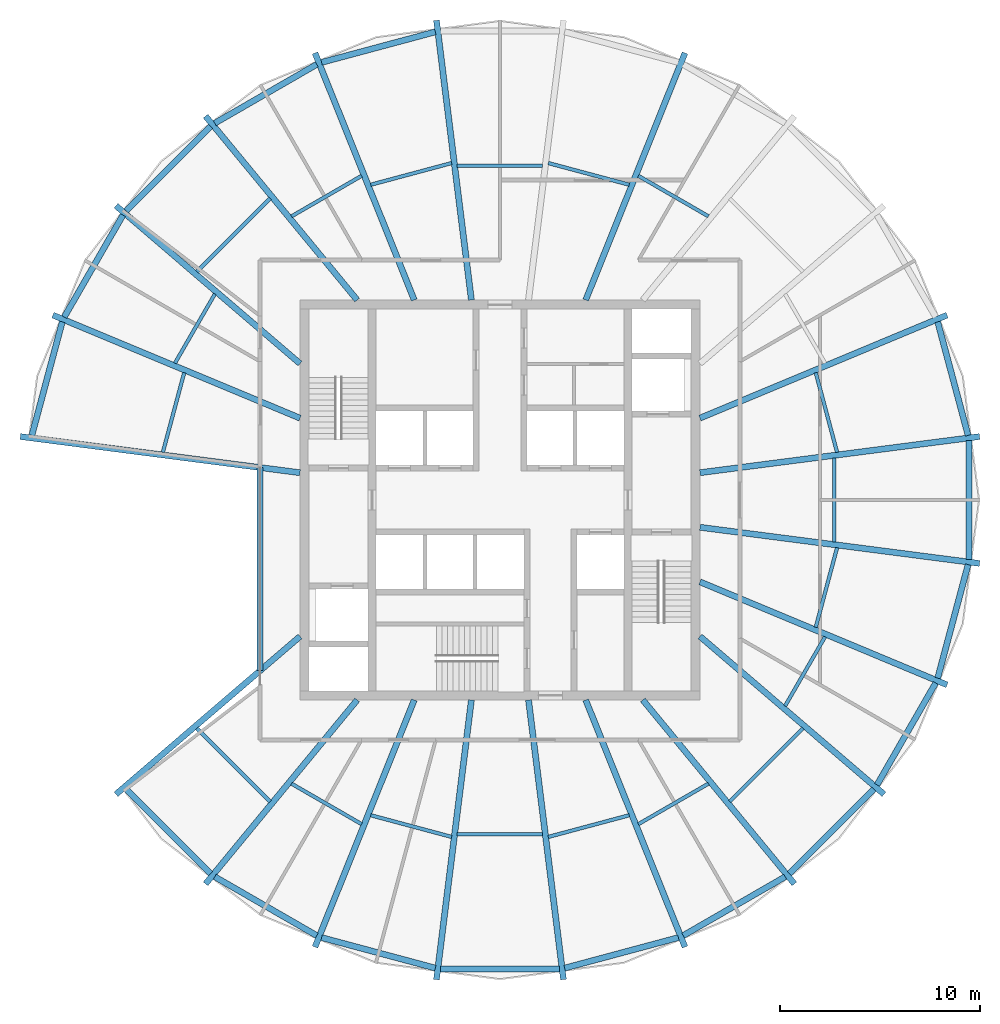
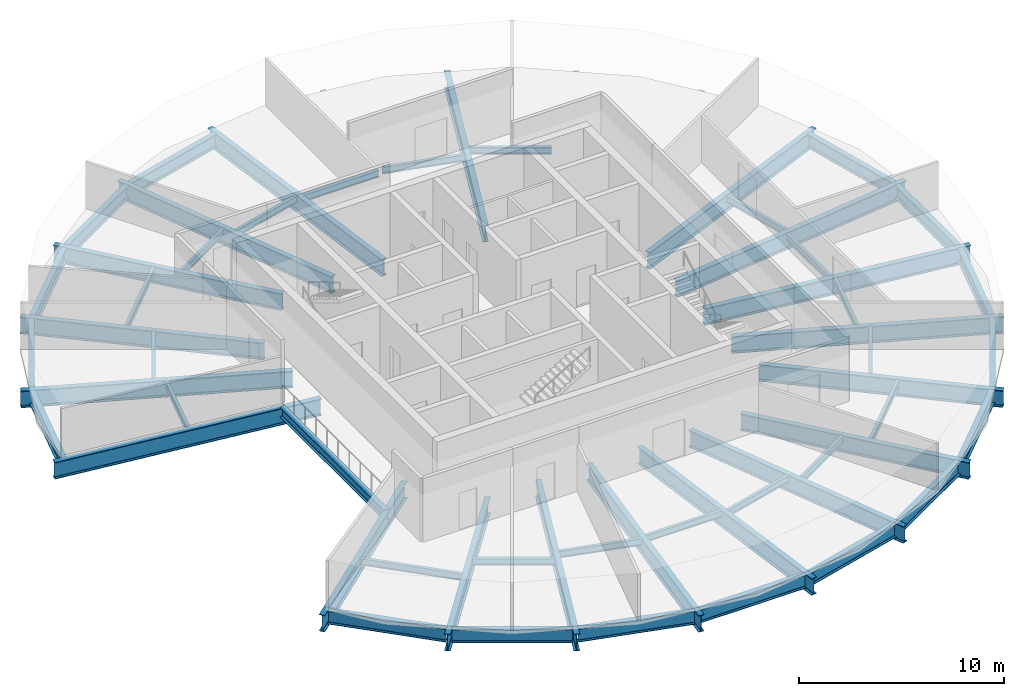
# One storey, part 1 of 5: 55 beams.
"""IFC4 building model written with IfcOpenShell, lengths in metres."""

from ifc_helpers import new_model, si_unit, direction, frame, origin, origin_2d, place, context, subcontext, project, spatial, i_section, extrude, material, material_profile, profile_set, type_object, element, save


model = new_model("IFC4")

# Units and contexts
model_context = context("Model", 3, precision=1e-05, world=origin(), true_north=direction((0.0, 1.0)))
body_context = subcontext(model_context, "Body", "Model", "MODEL_VIEW")
ifc_project = project(units=[si_unit("LENGTHUNIT", "METRE"), si_unit("AREAUNIT", "SQUARE_METRE"), si_unit("VOLUMEUNIT", "CUBIC_METRE"), si_unit("PLANEANGLEUNIT", "RADIAN"), si_unit("MASSUNIT", "GRAM", prefix="KILO")], contexts=[model_context])

# Site, building, storey
site_placement = place(None, origin())
site = spatial("IfcSite", under=ifc_project, at=site_placement, CompositionType="ELEMENT")
building_placement = place(site_placement, origin())
building = spatial("IfcBuilding", under=site, at=building_placement, Name="Golbaran Civic Tower", CompositionType="ELEMENT")
storey_placement = place(building_placement, frame((0.0, 0.0, 175.0)))
storey = spatial("IfcBuildingStorey", under=building, at=storey_placement, Name="L42", CompositionType="ELEMENT", Elevation=175.0)

# Beams
ifc_material = material(Name="Steel S355", Category="steel")
ifc_material_profile_1 = material_profile(ifc_material, i_section(OverallWidth=0.300048828125, OverallDepth=0.800048828125, WebThickness=0.017578125, FlangeThickness=0.032958984375, FilletRadius=0.030029296875, at=origin_2d()), Name="HEB 800")
ifc_profile_set_1 = profile_set([ifc_material_profile_1], Name="Steel S355")
beam_type_1 = type_object("IfcBeamType", Name="EDGE BEAM HEB 800", PredefinedType="BEAM", material=ifc_profile_set_1)
beam_1_placement = place(storey_placement, frame((23.408447265625, 3.229736328125, -0.60009765625), z_axis=(-0.258812903763, 0.965927471835, 0.0), x_axis=(-0.965927471835, -0.258812903763, 0.0)))
element("IfcBeam", 1, at=beam_1_placement, inside=storey, type_object=beam_type_1, Name="Edge beam 7.53 L42", PredefinedType="BEAM", context=body_context, shape_type="SweptSolid", body=[
    extrude(i_section(OverallWidth=0.300048828125, OverallDepth=0.800048828125, WebThickness=0.017578125, FlangeThickness=0.032958984375, FilletRadius=0.030029296875, at=origin_2d()), origin(), (0.0, 0.0, 1.0), 5.877685546875),
])
beam_2_placement = place(storey_placement, frame((-3.234375, 23.407958984375, -0.60009765625), z_axis=(-0.96581726524, -0.2592238611, 0.0), x_axis=(0.2592238611, -0.96581726524, 0.0)))
element("IfcBeam", 2, at=beam_2_placement, inside=storey, type_object=beam_type_1, Name="Edge beam 97.53 L42", PredefinedType="BEAM", context=body_context, shape_type="SweptSolid", body=[
    extrude(i_section(OverallWidth=0.300048828125, OverallDepth=0.800048828125, WebThickness=0.017578125, FlangeThickness=0.032958984375, FilletRadius=0.030029296875, at=origin_2d()), origin(), (0.0, 0.0, 1.0), 5.88720703125),
])
beam_3_placement = place(storey_placement, frame((-9.16064453125, 21.7822265625, -0.60009765625), z_axis=(-0.866307731562, -0.499510674796, 0.0), x_axis=(0.499510674796, -0.866307731562, 0.0)))
element("IfcBeam", 3, at=beam_3_placement, inside=storey, type_object=beam_type_1, Name="Edge beam 112.47 L42", PredefinedType="BEAM", context=body_context, shape_type="SweptSolid", body=[
    extrude(i_section(OverallWidth=0.300048828125, OverallDepth=0.800048828125, WebThickness=0.017578125, FlangeThickness=0.032958984375, FilletRadius=0.030029296875, at=origin_2d()), origin(), (0.0, 0.0, 1.0), 5.888671875),
])
beam_4_placement = place(storey_placement, frame((-14.468505859375, 18.6826171875, -0.60009765625), z_axis=(-0.70680058161, -0.707412848226, 0.0), x_axis=(0.707412848226, -0.70680058161, 0.0)))
element("IfcBeam", 4, at=beam_4_placement, inside=storey, type_object=beam_type_1, Name="Edge beam 127.53 L42", PredefinedType="BEAM", context=body_context, shape_type="SweptSolid", body=[
    extrude(i_section(OverallWidth=0.300048828125, OverallDepth=0.800048828125, WebThickness=0.017578125, FlangeThickness=0.032958984375, FilletRadius=0.030029296875, at=origin_2d()), origin(), (0.0, 0.0, 1.0), 5.981201171875),
])
beam_5_placement = place(storey_placement, frame((-18.85400390625, 14.24462890625, -0.60009765625), z_axis=(-0.498868073136, -0.866677936494, 0.0), x_axis=(0.866677936494, -0.498868073136, 0.0)))
element("IfcBeam", 5, at=beam_5_placement, inside=storey, type_object=beam_type_1, Name="Edge beam 142.47 L42", PredefinedType="BEAM", context=body_context, shape_type="SweptSolid", body=[
    extrude(i_section(OverallWidth=0.300048828125, OverallDepth=0.800048828125, WebThickness=0.017578125, FlangeThickness=0.032958984375, FilletRadius=0.030029296875, at=origin_2d()), origin(), (0.0, 0.0, 1.0), 5.881103515625),
])
beam_6_placement = place(storey_placement, frame((-21.88720703125, 8.9072265625, -0.60009765625), z_axis=(-0.258812903763, -0.965927471835, 0.0), x_axis=(0.965927471835, -0.258812903763, 0.0)))
element("IfcBeam", 6, at=beam_6_placement, inside=storey, type_object=beam_type_1, Name="Edge beam 157.53 L42", PredefinedType="BEAM", context=body_context, shape_type="SweptSolid", body=[
    extrude(i_section(OverallWidth=0.300048828125, OverallDepth=0.800048828125, WebThickness=0.017578125, FlangeThickness=0.032958984375, FilletRadius=0.030029296875, at=origin_2d()), origin(), (0.0, 0.0, 1.0), 5.877685546875),
])
beam_7_placement = place(storey_placement, frame((-18.696044921875, -14.451416015625, -0.60009765625), z_axis=(0.70680058161, -0.707412848226, 0.0), x_axis=(0.707412848226, 0.70680058161, 0.0)))
element("IfcBeam", 7, at=beam_7_placement, inside=storey, type_object=beam_type_1, Name="Edge beam 217.53 L42", PredefinedType="BEAM", context=body_context, shape_type="SweptSolid", body=[
    extrude(i_section(OverallWidth=0.300048828125, OverallDepth=0.800048828125, WebThickness=0.017578125, FlangeThickness=0.032958984375, FilletRadius=0.030029296875, at=origin_2d()), origin(), (0.0, 0.0, 1.0), 5.981201171875),
])
beam_8_placement = place(storey_placement, frame((-14.261962890625, -18.8408203125, -0.60009765625), z_axis=(0.866307731562, -0.499510674796, 0.0), x_axis=(0.499510674796, 0.866307731562, 0.0)))
element("IfcBeam", 8, at=beam_8_placement, inside=storey, type_object=beam_type_1, Name="Edge beam 232.47 L42", PredefinedType="BEAM", context=body_context, shape_type="SweptSolid", body=[
    extrude(i_section(OverallWidth=0.300048828125, OverallDepth=0.800048828125, WebThickness=0.017578125, FlangeThickness=0.032958984375, FilletRadius=0.030029296875, at=origin_2d()), origin(), (0.0, 0.0, 1.0), 5.888671875),
])
beam_9_placement = place(storey_placement, frame((-8.92041015625, -21.8818359375, -0.60009765625), z_axis=(0.96581726524, -0.2592238611, 0.0), x_axis=(0.2592238611, 0.96581726524, 0.0)))
element("IfcBeam", 9, at=beam_9_placement, inside=storey, type_object=beam_type_1, Name="Edge beam 247.53 L42", PredefinedType="BEAM", context=body_context, shape_type="SweptSolid", body=[
    extrude(i_section(OverallWidth=0.300048828125, OverallDepth=0.800048828125, WebThickness=0.017578125, FlangeThickness=0.032958984375, FilletRadius=0.030029296875, at=origin_2d()), origin(), (0.0, 0.0, 1.0), 5.88720703125),
])
beam_10_placement = place(storey_placement, frame((-2.976806640625, -23.44189453125, -0.60009765625), z_axis=(1.0, 0.0, 0.0), x_axis=(0.0, 1.0, 0.0)))
element("IfcBeam", 10, at=beam_10_placement, inside=storey, type_object=beam_type_1, Name="Edge beam 262.47 L42", PredefinedType="BEAM", context=body_context, shape_type="SweptSolid", body=[
    extrude(i_section(OverallWidth=0.300048828125, OverallDepth=0.800048828125, WebThickness=0.017578125, FlangeThickness=0.032958984375, FilletRadius=0.030029296875, at=origin_2d()), origin(), (0.0, 0.0, 1.0), 5.95361328125),
])
beam_11_placement = place(storey_placement, frame((3.234375, -23.407958984375, -0.60009765625), z_axis=(0.96581726524, 0.2592238611, 0.0), x_axis=(-0.2592238611, 0.96581726524, 0.0)))
element("IfcBeam", 11, at=beam_11_placement, inside=storey, type_object=beam_type_1, Name="Edge beam 277.53 L42", PredefinedType="BEAM", context=body_context, shape_type="SweptSolid", body=[
    extrude(i_section(OverallWidth=0.300048828125, OverallDepth=0.800048828125, WebThickness=0.017578125, FlangeThickness=0.032958984375, FilletRadius=0.030029296875, at=origin_2d()), origin(), (0.0, 0.0, 1.0), 5.88720703125),
])
beam_12_placement = place(storey_placement, frame((9.16064453125, -21.7822265625, -0.60009765625), z_axis=(0.866307731562, 0.499510674796, 0.0), x_axis=(-0.499510674796, 0.866307731562, 0.0)))
element("IfcBeam", 12, at=beam_12_placement, inside=storey, type_object=beam_type_1, Name="Edge beam 292.47 L42", PredefinedType="BEAM", context=body_context, shape_type="SweptSolid", body=[
    extrude(i_section(OverallWidth=0.300048828125, OverallDepth=0.800048828125, WebThickness=0.017578125, FlangeThickness=0.032958984375, FilletRadius=0.030029296875, at=origin_2d()), origin(), (0.0, 0.0, 1.0), 5.888671875),
])
beam_13_placement = place(storey_placement, frame((14.468505859375, -18.6826171875, -0.60009765625), z_axis=(0.70680058161, 0.707412848226, 0.0), x_axis=(-0.707412848226, 0.70680058161, 0.0)))
element("IfcBeam", 13, at=beam_13_placement, inside=storey, type_object=beam_type_1, Name="Edge beam 307.53 L42", PredefinedType="BEAM", context=body_context, shape_type="SweptSolid", body=[
    extrude(i_section(OverallWidth=0.300048828125, OverallDepth=0.800048828125, WebThickness=0.017578125, FlangeThickness=0.032958984375, FilletRadius=0.030029296875, at=origin_2d()), origin(), (0.0, 0.0, 1.0), 5.981201171875),
])
beam_14_placement = place(storey_placement, frame((18.85400390625, -14.24462890625, -0.60009765625), z_axis=(0.498868073136, 0.866677936494, 0.0), x_axis=(-0.866677936494, 0.498868073136, 0.0)))
element("IfcBeam", 14, at=beam_14_placement, inside=storey, type_object=beam_type_1, Name="Edge beam 322.47 L42", PredefinedType="BEAM", context=body_context, shape_type="SweptSolid", body=[
    extrude(i_section(OverallWidth=0.300048828125, OverallDepth=0.800048828125, WebThickness=0.017578125, FlangeThickness=0.032958984375, FilletRadius=0.030029296875, at=origin_2d()), origin(), (0.0, 0.0, 1.0), 5.881103515625),
])
beam_15_placement = place(storey_placement, frame((21.88720703125, -8.9072265625, -0.60009765625), z_axis=(0.258812903763, 0.965927471835, 0.0), x_axis=(-0.965927471835, 0.258812903763, 0.0)))
element("IfcBeam", 15, at=beam_15_placement, inside=storey, type_object=beam_type_1, Name="Edge beam 337.53 L42", PredefinedType="BEAM", context=body_context, shape_type="SweptSolid", body=[
    extrude(i_section(OverallWidth=0.300048828125, OverallDepth=0.800048828125, WebThickness=0.017578125, FlangeThickness=0.032958984375, FilletRadius=0.030029296875, at=origin_2d()), origin(), (0.0, 0.0, 1.0), 5.877685546875),
])
beam_16_placement = place(storey_placement, frame((23.4423828125, -2.971923828125, -0.60009765625), z_axis=(0.0, 1.0, 0.0), x_axis=(-1.0, 0.0, 0.0)))
element("IfcBeam", 16, at=beam_16_placement, inside=storey, type_object=beam_type_1, Name="Edge beam 352.47 L42", PredefinedType="BEAM", context=body_context, shape_type="SweptSolid", body=[
    extrude(i_section(OverallWidth=0.300048828125, OverallDepth=0.800048828125, WebThickness=0.017578125, FlangeThickness=0.032958984375, FilletRadius=0.030029296875, at=origin_2d()), origin(), (0.0, 0.0, 1.0), 5.94384765625),
])
ifc_material_profile_2 = material_profile(ifc_material, i_section(OverallWidth=0.179931640625, OverallDepth=0.39990234375, WebThickness=0.008544921875, FlangeThickness=0.013427734375, FilletRadius=0.02099609375, at=origin_2d()), Name="IPE 400")
ifc_profile_set_2 = profile_set([ifc_material_profile_2], Name="Steel S355")
beam_type_2 = type_object("IfcBeamType", Name="FLOOR INFILL BEAM IPE 400", PredefinedType="BEAM", material=ifc_profile_set_2)
beam_17_placement = place(storey_placement, frame((16.857666015625, 2.38232421875, -0.39990234375), z_axis=(-0.258826831962, 0.965923739773, 0.0), x_axis=(-0.965923739773, -0.258826831962, 0.0)))
element("IfcBeam", 17, at=beam_17_placement, inside=storey, type_object=beam_type_2, Name="Infill beam 15.00 L42", PredefinedType="BEAM", context=body_context, shape_type="SweptSolid", body=[
    extrude(i_section(OverallWidth=0.179931640625, OverallDepth=0.39990234375, WebThickness=0.008544921875, FlangeThickness=0.013427734375, FilletRadius=0.02099609375, at=origin_2d()), origin(), (0.0, 0.0, 1.0), 4.1240234375),
])
beam_18_placement = place(storey_placement, frame((10.424072265625, 14.184814453125, -0.39990234375), z_axis=(-0.86601374197, 0.500020198311, 0.0), x_axis=(-0.500020198311, -0.86601374197, 0.0)))
element("IfcBeam", 18, at=beam_18_placement, inside=storey, type_object=beam_type_2, Name="Infill beam 60.00 L42", PredefinedType="BEAM", context=body_context, shape_type="SweptSolid", body=[
    extrude(i_section(OverallWidth=0.179931640625, OverallDepth=0.39990234375, WebThickness=0.008544921875, FlangeThickness=0.013427734375, FilletRadius=0.02099609375, at=origin_2d()), origin(), (0.0, 0.0, 1.0), 4.045654296875),
])
beam_19_placement = place(storey_placement, frame((6.4619140625, 15.76416015625, -0.39990234375), z_axis=(-0.965918917983, 0.258844825874, 0.0), x_axis=(-0.258844825874, -0.965918917983, 0.0)))
element("IfcBeam", 19, at=beam_19_placement, inside=storey, type_object=beam_type_2, Name="Infill beam 75.00 L42", PredefinedType="BEAM", context=body_context, shape_type="SweptSolid", body=[
    extrude(i_section(OverallWidth=0.179931640625, OverallDepth=0.39990234375, WebThickness=0.008544921875, FlangeThickness=0.013427734375, FilletRadius=0.02099609375, at=origin_2d()), origin(), (0.0, 0.0, 1.0), 4.189697265625),
])
beam_20_placement = place(storey_placement, frame((2.13720703125, 16.720947265625, -0.39990234375), z_axis=(-1.0, 0.0, 0.0), x_axis=(0.0, -1.0, 0.0)))
element("IfcBeam", 20, at=beam_20_placement, inside=storey, type_object=beam_type_2, Name="Infill beam 90.00 L42", PredefinedType="BEAM", context=body_context, shape_type="SweptSolid", body=[
    extrude(i_section(OverallWidth=0.179931640625, OverallDepth=0.39990234375, WebThickness=0.008544921875, FlangeThickness=0.013427734375, FilletRadius=0.02099609375, at=origin_2d()), origin(), (0.0, 0.0, 1.0), 4.2744140625),
])
beam_21_placement = place(storey_placement, frame((-2.4150390625, 16.8486328125, -0.39990234375), z_axis=(-0.965918917983, -0.258844825874, 0.0), x_axis=(0.258844825874, -0.965918917983, 0.0)))
element("IfcBeam", 21, at=beam_21_placement, inside=storey, type_object=beam_type_2, Name="Infill beam 105.00 L42", PredefinedType="BEAM", context=body_context, shape_type="SweptSolid", body=[
    extrude(i_section(OverallWidth=0.179931640625, OverallDepth=0.39990234375, WebThickness=0.008544921875, FlangeThickness=0.013427734375, FilletRadius=0.02099609375, at=origin_2d()), origin(), (0.0, 0.0, 1.0), 4.189697265625),
])
beam_22_placement = place(storey_placement, frame((-6.92041015625, 16.207763671875, -0.39990234375), z_axis=(-0.86601374197, -0.500020198311, 0.0), x_axis=(0.500020198311, -0.86601374197, 0.0)))
element("IfcBeam", 22, at=beam_22_placement, inside=storey, type_object=beam_type_2, Name="Infill beam 120.00 L42", PredefinedType="BEAM", context=body_context, shape_type="SweptSolid", body=[
    extrude(i_section(OverallWidth=0.179931640625, OverallDepth=0.39990234375, WebThickness=0.008544921875, FlangeThickness=0.013427734375, FilletRadius=0.02099609375, at=origin_2d()), origin(), (0.0, 0.0, 1.0), 4.045654296875),
])
beam_23_placement = place(storey_placement, frame((-11.496826171875, 15.07763671875, -0.39990234375), z_axis=(-0.707130358093, -0.707083203494, 0.0), x_axis=(0.707083203494, -0.707130358093, 0.0)))
element("IfcBeam", 23, at=beam_23_placement, inside=storey, type_object=beam_type_2, Name="Infill beam 135.00 L42", PredefinedType="BEAM", context=body_context, shape_type="SweptSolid", body=[
    extrude(i_section(OverallWidth=0.179931640625, OverallDepth=0.39990234375, WebThickness=0.008544921875, FlangeThickness=0.013427734375, FilletRadius=0.02099609375, at=origin_2d()), origin(), (0.0, 0.0, 1.0), 5.177490234375),
])
beam_24_placement = place(storey_placement, frame((-14.25634765625, 10.30078125, -0.39990234375), z_axis=(-0.500036296268, -0.86600444711, 0.0), x_axis=(0.86600444711, -0.500036296268, 0.0)))
element("IfcBeam", 24, at=beam_24_placement, inside=storey, type_object=beam_type_2, Name="Infill beam 150.00 L42", PredefinedType="BEAM", context=body_context, shape_type="SweptSolid", body=[
    extrude(i_section(OverallWidth=0.179931640625, OverallDepth=0.39990234375, WebThickness=0.008544921875, FlangeThickness=0.013427734375, FilletRadius=0.02099609375, at=origin_2d()), origin(), (0.0, 0.0, 1.0), 3.995361328125),
])
beam_25_placement = place(storey_placement, frame((-15.790283203125, 6.36572265625, -0.39990234375), z_axis=(-0.258826831962, -0.965923739773, 0.0), x_axis=(0.965923739773, -0.258826831962, 0.0)))
element("IfcBeam", 25, at=beam_25_placement, inside=storey, type_object=beam_type_2, Name="Infill beam 165.00 L42", PredefinedType="BEAM", context=body_context, shape_type="SweptSolid", body=[
    extrude(i_section(OverallWidth=0.179931640625, OverallDepth=0.39990234375, WebThickness=0.008544921875, FlangeThickness=0.013427734375, FilletRadius=0.02099609375, at=origin_2d()), origin(), (0.0, 0.0, 1.0), 4.1240234375),
])
beam_26_placement = place(storey_placement, frame((-15.157958984375, -11.416748046875, -0.39990234375), z_axis=(0.707130358093, -0.707083203494, 0.0), x_axis=(0.707083203494, 0.707130358093, 0.0)))
element("IfcBeam", 26, at=beam_26_placement, inside=storey, type_object=beam_type_2, Name="Infill beam 225.00 L42", PredefinedType="BEAM", context=body_context, shape_type="SweptSolid", body=[
    extrude(i_section(OverallWidth=0.179931640625, OverallDepth=0.39990234375, WebThickness=0.008544921875, FlangeThickness=0.013427734375, FilletRadius=0.02099609375, at=origin_2d()), origin(), (0.0, 0.0, 1.0), 5.177490234375),
])
beam_27_placement = place(storey_placement, frame((-10.424072265625, -14.184814453125, -0.39990234375), z_axis=(0.86601374197, -0.500020198311, 0.0), x_axis=(0.500020198311, 0.86601374197, 0.0)))
element("IfcBeam", 27, at=beam_27_placement, inside=storey, type_object=beam_type_2, Name="Infill beam 240.00 L42", PredefinedType="BEAM", context=body_context, shape_type="SweptSolid", body=[
    extrude(i_section(OverallWidth=0.179931640625, OverallDepth=0.39990234375, WebThickness=0.008544921875, FlangeThickness=0.013427734375, FilletRadius=0.02099609375, at=origin_2d()), origin(), (0.0, 0.0, 1.0), 4.045654296875),
])
beam_28_placement = place(storey_placement, frame((-6.4619140625, -15.76416015625, -0.39990234375), z_axis=(0.965918917983, -0.258844825874, 0.0), x_axis=(0.258844825874, 0.965918917983, 0.0)))
element("IfcBeam", 28, at=beam_28_placement, inside=storey, type_object=beam_type_2, Name="Infill beam 255.00 L42", PredefinedType="BEAM", context=body_context, shape_type="SweptSolid", body=[
    extrude(i_section(OverallWidth=0.179931640625, OverallDepth=0.39990234375, WebThickness=0.008544921875, FlangeThickness=0.013427734375, FilletRadius=0.02099609375, at=origin_2d()), origin(), (0.0, 0.0, 1.0), 4.189697265625),
])
beam_29_placement = place(storey_placement, frame((-2.13720703125, -16.720947265625, -0.39990234375), z_axis=(1.0, 0.0, 0.0), x_axis=(0.0, 1.0, 0.0)))
element("IfcBeam", 29, at=beam_29_placement, inside=storey, type_object=beam_type_2, Name="Infill beam 270.00 L42", PredefinedType="BEAM", context=body_context, shape_type="SweptSolid", body=[
    extrude(i_section(OverallWidth=0.179931640625, OverallDepth=0.39990234375, WebThickness=0.008544921875, FlangeThickness=0.013427734375, FilletRadius=0.02099609375, at=origin_2d()), origin(), (0.0, 0.0, 1.0), 4.2744140625),
])
beam_30_placement = place(storey_placement, frame((2.4150390625, -16.8486328125, -0.39990234375), z_axis=(0.965918917983, 0.258844825874, 0.0), x_axis=(-0.258844825874, 0.965918917983, 0.0)))
element("IfcBeam", 30, at=beam_30_placement, inside=storey, type_object=beam_type_2, Name="Infill beam 285.00 L42", PredefinedType="BEAM", context=body_context, shape_type="SweptSolid", body=[
    extrude(i_section(OverallWidth=0.179931640625, OverallDepth=0.39990234375, WebThickness=0.008544921875, FlangeThickness=0.013427734375, FilletRadius=0.02099609375, at=origin_2d()), origin(), (0.0, 0.0, 1.0), 4.189697265625),
])
beam_31_placement = place(storey_placement, frame((6.92041015625, -16.207763671875, -0.39990234375), z_axis=(0.86601374197, 0.500020198311, 0.0), x_axis=(-0.500020198311, 0.86601374197, 0.0)))
element("IfcBeam", 31, at=beam_31_placement, inside=storey, type_object=beam_type_2, Name="Infill beam 300.00 L42", PredefinedType="BEAM", context=body_context, shape_type="SweptSolid", body=[
    extrude(i_section(OverallWidth=0.179931640625, OverallDepth=0.39990234375, WebThickness=0.008544921875, FlangeThickness=0.013427734375, FilletRadius=0.02099609375, at=origin_2d()), origin(), (0.0, 0.0, 1.0), 4.045654296875),
])
beam_32_placement = place(storey_placement, frame((11.496826171875, -15.07763671875, -0.39990234375), z_axis=(0.707130358093, 0.707083203494, 0.0), x_axis=(-0.707083203494, 0.707130358093, 0.0)))
element("IfcBeam", 32, at=beam_32_placement, inside=storey, type_object=beam_type_2, Name="Infill beam 315.00 L42", PredefinedType="BEAM", context=body_context, shape_type="SweptSolid", body=[
    extrude(i_section(OverallWidth=0.179931640625, OverallDepth=0.39990234375, WebThickness=0.008544921875, FlangeThickness=0.013427734375, FilletRadius=0.02099609375, at=origin_2d()), origin(), (0.0, 0.0, 1.0), 5.177490234375),
])
beam_33_placement = place(storey_placement, frame((14.25634765625, -10.30078125, -0.39990234375), z_axis=(0.500036296268, 0.86600444711, 0.0), x_axis=(-0.86600444711, 0.500036296268, 0.0)))
element("IfcBeam", 33, at=beam_33_placement, inside=storey, type_object=beam_type_2, Name="Infill beam 330.00 L42", PredefinedType="BEAM", context=body_context, shape_type="SweptSolid", body=[
    extrude(i_section(OverallWidth=0.179931640625, OverallDepth=0.39990234375, WebThickness=0.008544921875, FlangeThickness=0.013427734375, FilletRadius=0.02099609375, at=origin_2d()), origin(), (0.0, 0.0, 1.0), 3.995361328125),
])
beam_34_placement = place(storey_placement, frame((15.790283203125, -6.36572265625, -0.39990234375), z_axis=(0.258826831962, 0.965923739773, 0.0), x_axis=(-0.965923739773, 0.258826831962, 0.0)))
element("IfcBeam", 34, at=beam_34_placement, inside=storey, type_object=beam_type_2, Name="Infill beam 345.00 L42", PredefinedType="BEAM", context=body_context, shape_type="SweptSolid", body=[
    extrude(i_section(OverallWidth=0.179931640625, OverallDepth=0.39990234375, WebThickness=0.008544921875, FlangeThickness=0.013427734375, FilletRadius=0.02099609375, at=origin_2d()), origin(), (0.0, 0.0, 1.0), 4.1240234375),
])
beam_35_placement = place(storey_placement, frame((16.72119140625, -2.1025390625, -0.39990234375), z_axis=(0.0, 1.0, 0.0), x_axis=(-1.0, 0.0, 0.0)))
element("IfcBeam", 35, at=beam_35_placement, inside=storey, type_object=beam_type_2, Name="Infill beam 0.00 L42", PredefinedType="BEAM", context=body_context, shape_type="SweptSolid", body=[
    extrude(i_section(OverallWidth=0.179931640625, OverallDepth=0.39990234375, WebThickness=0.008544921875, FlangeThickness=0.013427734375, FilletRadius=0.02099609375, at=origin_2d()), origin(), (0.0, 0.0, 1.0), 4.205078125),
])
ifc_material_profile_3 = material_profile(ifc_material, i_section(OverallWidth=0.300048828125, OverallDepth=0.60009765625, WebThickness=0.015380859375, FlangeThickness=0.030029296875, FilletRadius=0.027099609375, at=origin_2d()), Name="HEB 600")
ifc_profile_set_3 = profile_set([ifc_material_profile_3], Name="Steel S355")
beam_type_3 = type_object("IfcBeamType", Name="GARDEN CHORD TRIMMER HEB 600", PredefinedType="BEAM", material=ifc_profile_set_3)
beam_36_placement = place(storey_placement, frame((-12.0, 1.623046875, -0.5), z_axis=(0.0, -1.0, 0.0), x_axis=(1.0, 0.0, 0.0)))
element("IfcBeam", 36, at=beam_36_placement, inside=storey, type_object=beam_type_3, Name="Garden void trimmer L42", PredefinedType="BEAM", context=body_context, shape_type="SweptSolid", body=[
    extrude(i_section(OverallWidth=0.300048828125, OverallDepth=0.60009765625, WebThickness=0.015380859375, FlangeThickness=0.030029296875, FilletRadius=0.027099609375, at=origin_2d()), origin(), (0.0, 0.0, 1.0), 10.159912109375),
])
ifc_material_profile_4 = material_profile(ifc_material, i_section(OverallWidth=0.300048828125, OverallDepth=1.0, WebThickness=0.01904296875, FlangeThickness=0.035888671875, FilletRadius=0.030029296875, at=origin_2d()), Name="HEB 1000")
ifc_profile_set_4 = profile_set([ifc_material_profile_4], Name="Steel S355")
beam_type_4 = type_object("IfcBeamType", Name="RADIAL FLOOR BEAM HEB 1000", PredefinedType="BEAM", material=ifc_profile_set_4)
beam_37_placement = place(storey_placement, frame((10.0, 1.3642578125, -0.7099609375), z_axis=(0.991737832341, 0.128281221944, 0.0), x_axis=(-0.128281221944, 0.991737832341, 0.0)))
element("IfcBeam", 37, at=beam_37_placement, inside=storey, type_object=beam_type_4, Name="Radial beam 7.53 L42", PredefinedType="BEAM", context=body_context, shape_type="SweptSolid", body=[
    extrude(i_section(OverallWidth=0.300048828125, OverallDepth=1.0, WebThickness=0.01904296875, FlangeThickness=0.035888671875, FilletRadius=0.030029296875, at=origin_2d()), origin(), (0.0, 0.0, 1.0), 14.0986328125),
])
beam_38_placement = place(storey_placement, frame((10.0, 4.0927734375, -0.7099609375), z_axis=(0.923012699102, 0.384769485921, 0.0), x_axis=(-0.384769485921, 0.923012699102, 0.0)))
element("IfcBeam", 38, at=beam_38_placement, inside=storey, type_object=beam_type_4, Name="Radial beam 22.47 L42", PredefinedType="BEAM", context=body_context, shape_type="SweptSolid", body=[
    extrude(i_section(OverallWidth=0.300048828125, OverallDepth=1.0, WebThickness=0.01904296875, FlangeThickness=0.035888671875, FilletRadius=0.030029296875, at=origin_2d()), origin(), (0.0, 0.0, 1.0), 13.38623046875),
])
beam_39_placement = place(storey_placement, frame((4.28564453125, 10.0, -0.7099609375), z_axis=(0.37287942209, 0.927879807185, 0.0), x_axis=(-0.927879807185, 0.37287942209, 0.0)))
element("IfcBeam", 39, at=beam_39_placement, inside=storey, type_object=beam_type_4, Name="Radial beam 67.53 L42", PredefinedType="BEAM", context=body_context, shape_type="SweptSolid", body=[
    extrude(i_section(OverallWidth=0.300048828125, OverallDepth=1.0, WebThickness=0.01904296875, FlangeThickness=0.035888671875, FilletRadius=0.030029296875, at=origin_2d()), origin(), (0.0, 0.0, 1.0), 13.31298828125),
])
beam_40_placement = place(storey_placement, frame((-1.428466796875, 10.0, -0.7099609375), z_axis=(-0.123970759742, 0.992285871475, 0.0), x_axis=(-0.992285871475, -0.123970759742, 0.0)))
element("IfcBeam", 40, at=beam_40_placement, inside=storey, type_object=beam_type_4, Name="Radial beam 97.53 L42", PredefinedType="BEAM", context=body_context, shape_type="SweptSolid", body=[
    extrude(i_section(OverallWidth=0.300048828125, OverallDepth=1.0, WebThickness=0.01904296875, FlangeThickness=0.035888671875, FilletRadius=0.030029296875, at=origin_2d()), origin(), (0.0, 0.0, 1.0), 14.090576171875),
])
beam_41_placement = place(storey_placement, frame((-4.28564453125, 10.0, -0.7099609375), z_axis=(-0.37287942209, 0.927879807185, 0.0), x_axis=(-0.927879807185, -0.37287942209, 0.0)))
element("IfcBeam", 41, at=beam_41_placement, inside=storey, type_object=beam_type_4, Name="Radial beam 112.47 L42", PredefinedType="BEAM", context=body_context, shape_type="SweptSolid", body=[
    extrude(i_section(OverallWidth=0.300048828125, OverallDepth=1.0, WebThickness=0.01904296875, FlangeThickness=0.035888671875, FilletRadius=0.030029296875, at=origin_2d()), origin(), (0.0, 0.0, 1.0), 13.31298828125),
])
beam_42_placement = place(storey_placement, frame((-7.142822265625, 10.0, -0.7099609375), z_axis=(-0.636064106478, 0.77163621769, 0.0), x_axis=(-0.77163621769, -0.636064106478, 0.0)))
element("IfcBeam", 42, at=beam_42_placement, inside=storey, type_object=beam_type_4, Name="Radial beam 127.53 L42", PredefinedType="BEAM", context=body_context, shape_type="SweptSolid", body=[
    extrude(i_section(OverallWidth=0.300048828125, OverallDepth=1.0, WebThickness=0.01904296875, FlangeThickness=0.035888671875, FilletRadius=0.030029296875, at=origin_2d()), origin(), (0.0, 0.0, 1.0), 11.916015625),
])
beam_43_placement = place(storey_placement, frame((-10.0, 6.821533203125, -0.7099609375), z_axis=(-0.759047578, 0.651035155988, 0.0), x_axis=(-0.651035155988, -0.759047578, 0.0)))
element("IfcBeam", 43, at=beam_43_placement, inside=storey, type_object=beam_type_4, Name="Radial beam 142.47 L42", PredefinedType="BEAM", context=body_context, shape_type="SweptSolid", body=[
    extrude(i_section(OverallWidth=0.300048828125, OverallDepth=1.0, WebThickness=0.01904296875, FlangeThickness=0.035888671875, FilletRadius=0.030029296875, at=origin_2d()), origin(), (0.0, 0.0, 1.0), 12.1220703125),
])
beam_44_placement = place(storey_placement, frame((-10.0, 4.0927734375, -0.7099609375), z_axis=(-0.923012699102, 0.384769485921, 0.0), x_axis=(-0.384769485921, -0.923012699102, 0.0)))
element("IfcBeam", 44, at=beam_44_placement, inside=storey, type_object=beam_type_4, Name="Radial beam 157.53 L42", PredefinedType="BEAM", context=body_context, shape_type="SweptSolid", body=[
    extrude(i_section(OverallWidth=0.300048828125, OverallDepth=1.0, WebThickness=0.01904296875, FlangeThickness=0.035888671875, FilletRadius=0.030029296875, at=origin_2d()), origin(), (0.0, 0.0, 1.0), 13.38623046875),
])
beam_45_placement = place(storey_placement, frame((-10.0, 1.3642578125, -0.7099609375), z_axis=(-0.991737832341, 0.128281221944, 0.0), x_axis=(-0.128281221944, -0.991737832341, 0.0)))
element("IfcBeam", 45, at=beam_45_placement, inside=storey, type_object=beam_type_4, Name="Radial beam 172.47 L42", PredefinedType="BEAM", context=body_context, shape_type="SweptSolid", body=[
    extrude(i_section(OverallWidth=0.300048828125, OverallDepth=1.0, WebThickness=0.01904296875, FlangeThickness=0.035888671875, FilletRadius=0.030029296875, at=origin_2d()), origin(), (0.0, 0.0, 1.0), 14.0986328125),
])
beam_46_placement = place(storey_placement, frame((-10.0, -6.821533203125, -0.7099609375), z_axis=(-0.759047578, -0.651035155988, 0.0), x_axis=(0.651035155988, -0.759047578, 0.0)))
element("IfcBeam", 46, at=beam_46_placement, inside=storey, type_object=beam_type_4, Name="Radial beam 217.53 L42", PredefinedType="BEAM", context=body_context, shape_type="SweptSolid", body=[
    extrude(i_section(OverallWidth=0.300048828125, OverallDepth=1.0, WebThickness=0.01904296875, FlangeThickness=0.035888671875, FilletRadius=0.030029296875, at=origin_2d()), origin(), (0.0, 0.0, 1.0), 12.1220703125),
])
beam_47_placement = place(storey_placement, frame((-7.142822265625, -10.0, -0.7099609375), z_axis=(-0.636064106478, -0.77163621769, 0.0), x_axis=(0.77163621769, -0.636064106478, 0.0)))
element("IfcBeam", 47, at=beam_47_placement, inside=storey, type_object=beam_type_4, Name="Radial beam 232.47 L42", PredefinedType="BEAM", context=body_context, shape_type="SweptSolid", body=[
    extrude(i_section(OverallWidth=0.300048828125, OverallDepth=1.0, WebThickness=0.01904296875, FlangeThickness=0.035888671875, FilletRadius=0.030029296875, at=origin_2d()), origin(), (0.0, 0.0, 1.0), 11.916015625),
])
beam_48_placement = place(storey_placement, frame((-4.28564453125, -10.0, -0.7099609375), z_axis=(-0.37287942209, -0.927879807185, 0.0), x_axis=(0.927879807185, -0.37287942209, 0.0)))
element("IfcBeam", 48, at=beam_48_placement, inside=storey, type_object=beam_type_4, Name="Radial beam 247.53 L42", PredefinedType="BEAM", context=body_context, shape_type="SweptSolid", body=[
    extrude(i_section(OverallWidth=0.300048828125, OverallDepth=1.0, WebThickness=0.01904296875, FlangeThickness=0.035888671875, FilletRadius=0.030029296875, at=origin_2d()), origin(), (0.0, 0.0, 1.0), 13.31298828125),
])
for number, where, z_axis, x_axis, name in (
    (49, (-1.428466796875, -10.0, -0.7099609375), (-0.123970759742, -0.992285871475, 0.0), (0.992285871475, -0.123970759742, 0.0), "Radial beam 262.47 L42"),
    (50, (1.428466796875, -10.0, -0.7099609375), (0.123970759742, -0.992285871475, 0.0), (0.992285871475, 0.123970759742, 0.0), "Radial beam 277.53 L42"),
):
    element("IfcBeam", number, at=place(storey_placement, frame(where, z_axis=z_axis, x_axis=x_axis)), inside=storey, type_object=beam_type_4, Name=name, PredefinedType="BEAM", context=body_context, shape_type="SweptSolid", body=[
        extrude(i_section(OverallWidth=0.300048828125, OverallDepth=1.0, WebThickness=0.01904296875, FlangeThickness=0.035888671875, FilletRadius=0.030029296875, at=origin_2d()), origin(), (0.0, 0.0, 1.0), 14.090576171875),
    ])
beam_49_placement = place(storey_placement, frame((4.28564453125, -10.0, -0.7099609375), z_axis=(0.37287942209, -0.927879807185, 0.0), x_axis=(0.927879807185, 0.37287942209, 0.0)))
element("IfcBeam", 51, at=beam_49_placement, inside=storey, type_object=beam_type_4, Name="Radial beam 292.47 L42", PredefinedType="BEAM", context=body_context, shape_type="SweptSolid", body=[
    extrude(i_section(OverallWidth=0.300048828125, OverallDepth=1.0, WebThickness=0.01904296875, FlangeThickness=0.035888671875, FilletRadius=0.030029296875, at=origin_2d()), origin(), (0.0, 0.0, 1.0), 13.31298828125),
])
beam_50_placement = place(storey_placement, frame((7.142822265625, -10.0, -0.7099609375), z_axis=(0.636064106478, -0.77163621769, 0.0), x_axis=(0.77163621769, 0.636064106478, 0.0)))
element("IfcBeam", 52, at=beam_50_placement, inside=storey, type_object=beam_type_4, Name="Radial beam 307.53 L42", PredefinedType="BEAM", context=body_context, shape_type="SweptSolid", body=[
    extrude(i_section(OverallWidth=0.300048828125, OverallDepth=1.0, WebThickness=0.01904296875, FlangeThickness=0.035888671875, FilletRadius=0.030029296875, at=origin_2d()), origin(), (0.0, 0.0, 1.0), 11.916015625),
])
beam_51_placement = place(storey_placement, frame((10.0, -6.821533203125, -0.7099609375), z_axis=(0.759047578, -0.651035155988, 0.0), x_axis=(0.651035155988, 0.759047578, 0.0)))
element("IfcBeam", 53, at=beam_51_placement, inside=storey, type_object=beam_type_4, Name="Radial beam 322.47 L42", PredefinedType="BEAM", context=body_context, shape_type="SweptSolid", body=[
    extrude(i_section(OverallWidth=0.300048828125, OverallDepth=1.0, WebThickness=0.01904296875, FlangeThickness=0.035888671875, FilletRadius=0.030029296875, at=origin_2d()), origin(), (0.0, 0.0, 1.0), 12.1220703125),
])
beam_52_placement = place(storey_placement, frame((10.0, -4.0927734375, -0.7099609375), z_axis=(0.923012699102, -0.384769485921, 0.0), x_axis=(0.384769485921, 0.923012699102, 0.0)))
element("IfcBeam", 54, at=beam_52_placement, inside=storey, type_object=beam_type_4, Name="Radial beam 337.53 L42", PredefinedType="BEAM", context=body_context, shape_type="SweptSolid", body=[
    extrude(i_section(OverallWidth=0.300048828125, OverallDepth=1.0, WebThickness=0.01904296875, FlangeThickness=0.035888671875, FilletRadius=0.030029296875, at=origin_2d()), origin(), (0.0, 0.0, 1.0), 13.38623046875),
])
beam_53_placement = place(storey_placement, frame((10.0, -1.3642578125, -0.7099609375), z_axis=(0.991737832341, -0.128281221944, 0.0), x_axis=(0.128281221944, 0.991737832341, 0.0)))
element("IfcBeam", 55, at=beam_53_placement, inside=storey, type_object=beam_type_4, Name="Radial beam 352.47 L42", PredefinedType="BEAM", context=body_context, shape_type="SweptSolid", body=[
    extrude(i_section(OverallWidth=0.300048828125, OverallDepth=1.0, WebThickness=0.01904296875, FlangeThickness=0.035888671875, FilletRadius=0.030029296875, at=origin_2d()), origin(), (0.0, 0.0, 1.0), 14.0986328125),
])

save(model, "model.ifc")
